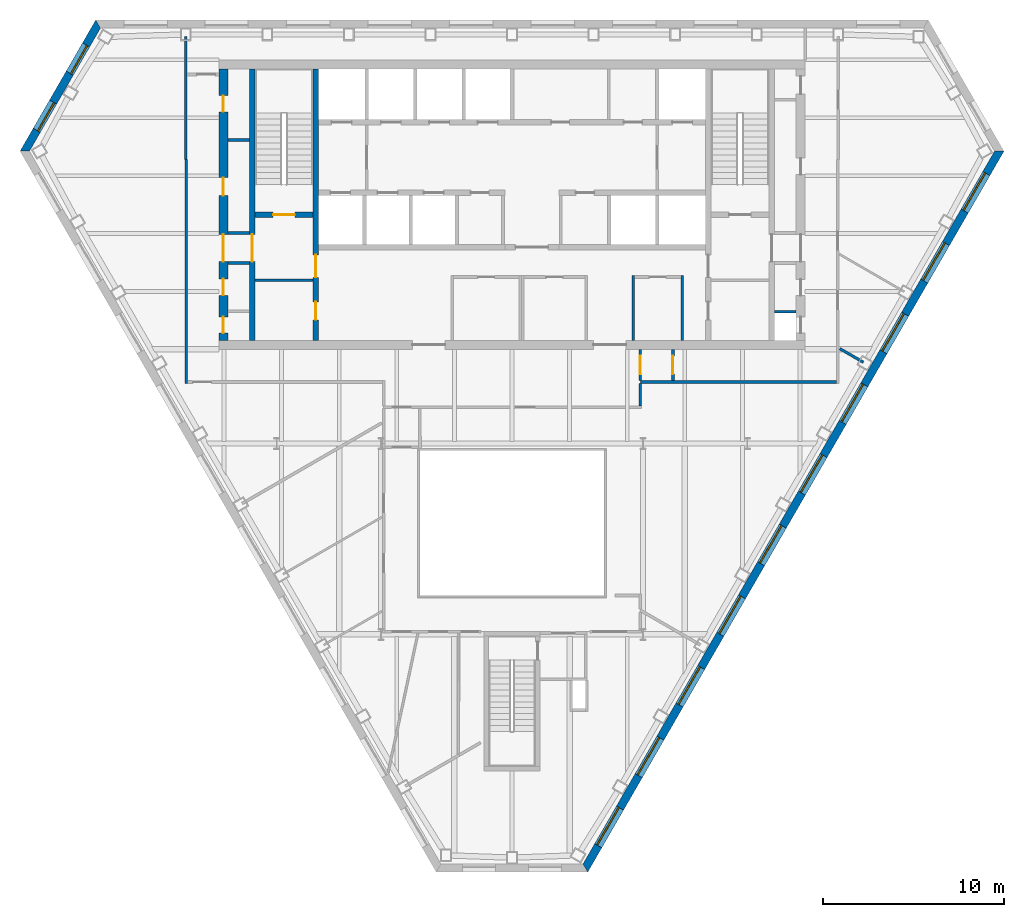
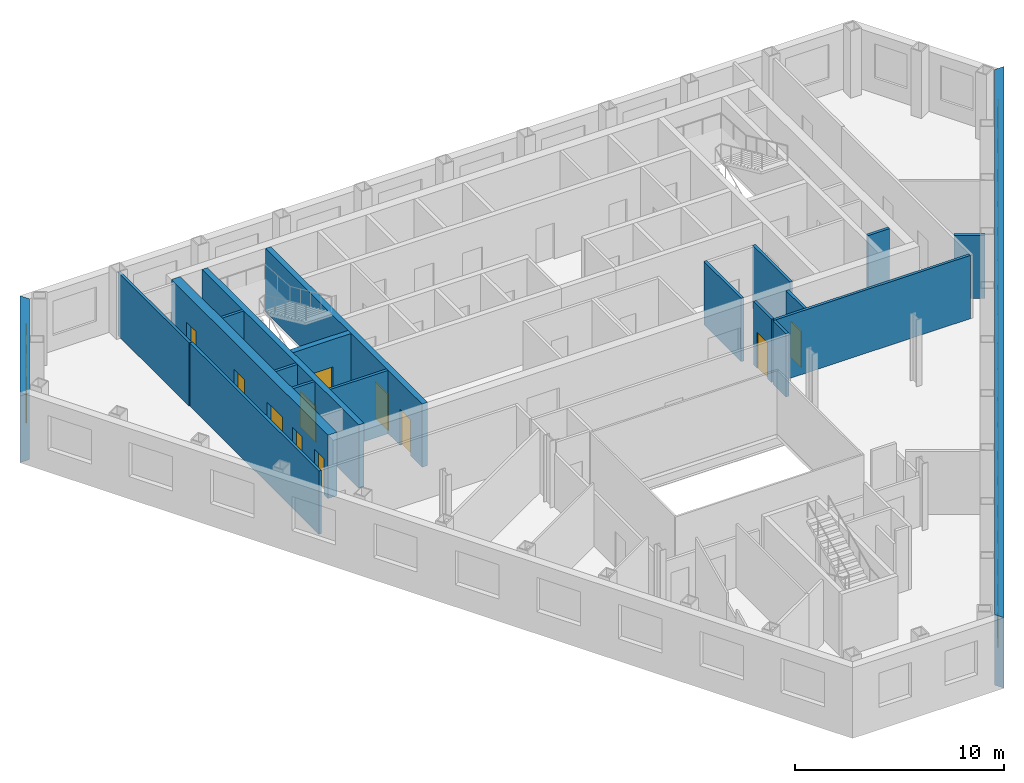
# One storey, part 5 of 10: 20 walls, 12 windows, 11 doors, 23 openings.
"""IFC4 building model written with IfcOpenShell, lengths in metres."""

import ifcopenshell
import ifcopenshell.guid

model = None  # the IFC model being written
_history = None  # IfcOwnerHistory: only IFC2X3 demands one
_inside = {}  # id of a spatial element -> (the spatial element, [elements in it])
_under = {}  # id of a project, library or spatial element -> (it, [spatial elements below it])
_declared = {}  # id of a project -> (the project, [libraries it declares])
_typed = {}  # id of a type object -> (the type object, [elements of that type])
_made_of = {}  # id of a material, layer set ... -> (it, [elements and type objects made of it])


def new_model(schema):
    """Start an empty IFC model of exactly this schema.

    Asked for "IFC4X3", IfcOpenShell would pick the latest addendum, in which some entities
    have other attributes; the version numbers below select the first issue.
    IFC2X3 requires an IfcOwnerHistory on every rooted entity: one is made here for all.
    """
    global model, _history
    if schema == "IFC4X3":
        model = ifcopenshell.file(schema_version=(4, 3, 0, 0))
    else:
        model = ifcopenshell.file(schema=schema)
    _inside.clear()
    _under.clear()
    _declared.clear()
    _typed.clear()
    _made_of.clear()
    _history = None
    if model.schema == "IFC2X3":
        org = make("IfcOrganization", Name="unknown")
        user = make(
            "IfcPersonAndOrganization",
            ThePerson=make("IfcPerson", FamilyName="unknown"),
            TheOrganization=org,
        )
        app = make(
            "IfcApplication",
            ApplicationDeveloper=org,
            Version="unknown",
            ApplicationFullName="unknown",
            ApplicationIdentifier="unknown",
        )
        _history = make(
            "IfcOwnerHistory",
            OwningUser=user,
            OwningApplication=app,
            ChangeAction="ADDED",
            CreationDate=0,
        )
    return model


def make(cls, **values):
    """One entity of the class cls with the attributes given. An attribute that is None is left unset."""
    return model.create_entity(
        cls, **{name: value for name, value in values.items() if value is not None}
    )


def rooted(cls, **values):
    """An entity with a GlobalId (a new one), such as an element, a storey or a relation."""
    return make(cls, GlobalId=ifcopenshell.guid.new(), OwnerHistory=_history, **values)


def si_unit(unit_type, name, prefix=None):
    """IfcSIUnit, for example si_unit("LENGTHUNIT", "METRE", prefix="MILLI")."""
    return make("IfcSIUnit", UnitType=unit_type, Prefix=prefix, Name=name)


def assignment(units):
    """IfcUnitAssignment: the units of a project."""
    return None if units is None else make("IfcUnitAssignment", Units=units)


def point(xyz):
    """IfcCartesianPoint."""
    return None if xyz is None else make("IfcCartesianPoint", Coordinates=xyz)


def direction(xyz):
    """IfcDirection."""
    return None if xyz is None else make("IfcDirection", DirectionRatios=xyz)


def frame(location, z_axis=None, x_axis=None):
    """IfcAxis2Placement3D, a coordinate frame: its origin and axes. An axis left out is left unset."""
    return make(
        "IfcAxis2Placement3D",
        Location=point(location),
        Axis=direction(z_axis),
        RefDirection=direction(x_axis),
    )


def frame_2d(location, x_axis=None):
    """IfcAxis2Placement2D, a coordinate frame in the plane: its origin and x axis."""
    return make(
        "IfcAxis2Placement2D", Location=point(location), RefDirection=direction(x_axis)
    )


def origin():
    """The frame at (0, 0, 0) with its axes left unset."""
    return frame((0.0, 0.0, 0.0))


def place(relative_to, where):
    """IfcLocalPlacement: puts the frame where relative to a parent placement (None: the world)."""
    return make(
        "IfcLocalPlacement", PlacementRelTo=relative_to, RelativePlacement=where
    )


def context(
    kind, dimensions, precision=None, world=None, true_north=None, identifier=None
):
    """IfcGeometricRepresentationContext, for example the 3D "Model" context."""
    return make(
        "IfcGeometricRepresentationContext",
        ContextIdentifier=identifier,
        ContextType=kind,
        CoordinateSpaceDimension=dimensions,
        Precision=precision,
        WorldCoordinateSystem=world,
        TrueNorth=true_north,
    )


def subcontext(parent, identifier, kind, view, scale=None):
    """IfcGeometricRepresentationSubContext, for example "Body" below "Model"."""
    return make(
        "IfcGeometricRepresentationSubContext",
        ContextIdentifier=identifier,
        ContextType=kind,
        ParentContext=parent,
        TargetScale=scale,
        TargetView=view,
    )


def project(units=None, contexts=None):
    """IfcProject with its units and contexts."""
    return rooted(
        "IfcProject",
        Name="project",
        RepresentationContexts=contexts,
        UnitsInContext=assignment(units),
    )


def spatial(cls, under=None, at=None, **own):
    """A site, building, storey or space (cls), placed at a placement, below another one or the project."""
    s = rooted(cls, ObjectPlacement=at, **own)
    if under is not None:
        _under.setdefault(under.id(), (under, []))[1].append(s)
    return s


def polyline(points):
    """IfcPolyline through the points."""
    return make("IfcPolyline", Points=[point(p) for p in points])


def profile(cls, at=None, kind="AREA", **sizes):
    """A parametric profile (cls). Its sizes go by their IFC names, for example OverallWidth=200.0."""
    return make(cls, ProfileType=kind, Position=at, **sizes)


def rectangle(**sizes):
    """IfcRectangleProfileDef."""
    return profile("IfcRectangleProfileDef", **sizes)


def outline(outer, holes=None, kind="AREA"):
    """IfcArbitraryClosedProfileDef: a profile drawn as a closed curve; with holes, ...WithVoids."""
    if holes is None:
        return make("IfcArbitraryClosedProfileDef", ProfileType=kind, OuterCurve=outer)
    return make(
        "IfcArbitraryProfileDefWithVoids",
        ProfileType=kind,
        OuterCurve=outer,
        InnerCurves=holes,
    )


def extrude(swept, where, along, depth):
    """IfcExtrudedAreaSolid: the profile swept, set in the frame where, extruded along a direction by depth."""
    return make(
        "IfcExtrudedAreaSolid",
        SweptArea=swept,
        Position=where,
        ExtrudedDirection=direction(along),
        Depth=depth,
    )


def shape(context_of_items, identifier, shape_type, items):
    """IfcShapeRepresentation: the items that make up one representation, for example the "Body"."""
    return make(
        "IfcShapeRepresentation",
        ContextOfItems=context_of_items,
        RepresentationIdentifier=identifier,
        RepresentationType=shape_type,
        Items=items,
    )


def material(Name=None, Category=None):
    """IfcMaterial."""
    return make("IfcMaterial", Name=Name, Category=Category)


def layer(
    of_material, thickness, ventilated=None, Name=None, Category=None, Priority=None
):
    """IfcMaterialLayer: one layer of a wall or slab, of a material (None: an air gap)."""
    return make(
        "IfcMaterialLayer",
        Material=of_material,
        LayerThickness=thickness,
        IsVentilated=ventilated,
        Name=Name,
        Category=Category,
        Priority=Priority,
    )


def layer_set(layers, Name=None):
    """IfcMaterialLayerSet."""
    return make("IfcMaterialLayerSet", MaterialLayers=layers, LayerSetName=Name)


def made_of(thing, what):
    """Note that an element or type object is made of a material, layer set ...; save() writes the relation."""
    if what is not None:
        _made_of.setdefault(what.id(), (what, []))[1].append(thing)
    return thing


def type_object(cls, material=None, **own):
    """A type object (cls), such as IfcWallType, which elements share."""
    return made_of(rooted(cls, **own), material)


def element(
    cls,
    number,
    at=None,
    inside=None,
    cuts=None,
    type_object=None,
    material=None,
    context=None,
    identifier="Body",
    shape_type=None,
    held_by="IfcProductDefinitionShape",
    body=None,
    shapes=None,
    **own,
):
    """One element of the class cls, such as IfcWall. Its Tag is "e" and its number.

    at: its placement. inside: the storey or other place that contains it. cuts: it is an
    opening in that element (IfcRelVoidsElement). A single representation is given by context,
    identifier, shape_type and body (its items); several are given by shapes. held_by: the class
    of the entity that holds the representations. save() writes the other relations.
    """
    e = rooted(cls, Tag="e%d" % number, ObjectPlacement=at, **own)
    if body is not None:
        shapes = [shape(context, identifier, shape_type, body)]
    if shapes is not None:
        e.Representation = make(held_by, Representations=shapes)
    if inside is not None:
        _inside.setdefault(inside.id(), (inside, []))[1].append(e)
    if cuts is not None:
        rooted(
            "IfcRelVoidsElement", RelatingBuildingElement=cuts, RelatedOpeningElement=e
        )
    if type_object is not None:
        _typed.setdefault(type_object.id(), (type_object, []))[1].append(e)
    return made_of(e, material)


def fill(opening, filler):
    """IfcRelFillsElement: the door or window that sits in an opening."""
    return rooted(
        "IfcRelFillsElement",
        RelatingOpeningElement=opening,
        RelatedBuildingElement=filler,
    )


def aggregate(whole, parts):
    """IfcRelAggregates: a whole, such as a stair, and the parts it consists of."""
    return rooted("IfcRelAggregates", RelatingObject=whole, RelatedObjects=parts)


def save(model, path):
    """Write the relations noted so far, then the file.

    IfcRelAggregates (storeys below a building ...), IfcRelContainedInSpatialStructure (elements
    in a storey), IfcRelDefinesByType, IfcRelAssociatesMaterial and IfcRelDeclares: one each for
    every whole, place, type object, material and project.
    """
    for whole, parts in _under.values():
        aggregate(whole, parts)
    for where, things in _inside.values():
        rooted(
            "IfcRelContainedInSpatialStructure",
            RelatedElements=things,
            RelatingStructure=where,
        )
    for kind, things in _typed.values():
        rooted("IfcRelDefinesByType", RelatedObjects=things, RelatingType=kind)
    for what, things in _made_of.values():
        rooted("IfcRelAssociatesMaterial", RelatedObjects=things, RelatingMaterial=what)
    for by, libraries in _declared.values():
        rooted("IfcRelDeclares", RelatingContext=by, RelatedDefinitions=libraries)
    model.write(path)


model = new_model("IFC4")

# Units and contexts
model_context = context("Model", 3, precision=1e-05, world=origin(), true_north=direction((0.0, 1.0)))
body_context = subcontext(model_context, "Body", "Model", "MODEL_VIEW")
ifc_project = project(units=[si_unit("LENGTHUNIT", "METRE"), si_unit("AREAUNIT", "SQUARE_METRE"), si_unit("VOLUMEUNIT", "CUBIC_METRE"), si_unit("PLANEANGLEUNIT", "RADIAN"), si_unit("MASSUNIT", "GRAM", prefix="KILO")], contexts=[model_context])

# Site, building, storey
site_placement = place(None, origin())
site = spatial("IfcSite", under=ifc_project, at=site_placement, CompositionType="ELEMENT")
building_placement = place(site_placement, origin())
building = spatial("IfcBuilding", under=site, at=building_placement, Name="Njiva Tower", CompositionType="ELEMENT")
storey_placement = place(building_placement, frame((0.0, 0.0, 171.0)))
storey = spatial("IfcBuildingStorey", under=building, at=storey_placement, Name="L37", CompositionType="ELEMENT", Elevation=171.0)

# Walls
ifc_material_1 = material(Name="Blockwork", Category="masonry")
ifc_layer_1 = layer(ifc_material_1, 0.15)
ifc_layer_set_1 = layer_set([ifc_layer_1], Name="Blockwork")
wall_type_1 = type_object("IfcWallType", Name="WT1 Compartment partition 150", PredefinedType="PARTITIONING", material=ifc_layer_set_1)
wall_1_placement = place(storey_placement, frame((-14.2, 5.825, 0.0), z_axis=(0.0, 0.0, 1.0), x_axis=(1.0, 0.0, 0.0)))
element("IfcWall", 1, at=wall_1_placement, inside=storey, type_object=wall_type_1, Name="Room wall A", PredefinedType="PARTITIONING", context=body_context, shape_type="SweptSolid", body=[
    extrude(rectangle(XDim=3.2, YDim=0.15, at=frame_2d((1.6, 0.0))), origin(), (0.0, 0.0, 1.0), 3.7),
])
for number, where, z_axis, x_axis, name in (
    (2, (6.7, 2.5, 0.0), (0.0, 0.0, 1.0), (0.0, 1.0, 0.0), "Security office wall west"),
    (3, (9.4, 2.5, 0.0), (0.0, 0.0, 1.0), (0.0, 1.0, 0.0), "Security office wall east"),
):
    element("IfcWall", number, at=place(storey_placement, frame(where, z_axis=z_axis, x_axis=x_axis)), inside=storey, type_object=wall_type_1, Name=name, PredefinedType="PARTITIONING", context=body_context, shape_type="SweptSolid", body=[
        extrude(rectangle(XDim=3.575, YDim=0.15, at=frame_2d((1.7875, 0.0))), origin(), (0.0, 0.0, 1.0), 3.7),
    ])

# Wall, openings, doors
ifc_material_2 = material(Name="Concrete C40/50", Category="concrete")
ifc_layer_2 = layer(ifc_material_2, 0.3)
ifc_layer_set_2 = layer_set([ifc_layer_2], Name="Concrete C40/50")
wall_type_2 = type_object("IfcWallType", Name="WT10 Stair enclosure wall 300", PredefinedType="SHEAR", material=ifc_layer_set_2)
wall_2_placement = place(storey_placement, frame((-10.85, 2.5, 0.0), z_axis=(0.0, 0.0, 1.0), x_axis=(0.0, 1.0, 0.0)))
wall_2 = element("IfcWall", 4, at=wall_2_placement, inside=storey, type_object=wall_type_2, Name="Stair wall west inner", PredefinedType="SHEAR", context=body_context, shape_type="SweptSolid", body=[
    extrude(rectangle(XDim=15.0, YDim=0.3, at=frame_2d((7.5, 0.0))), origin(), (0.0, 0.0, 1.0), 3.7),
])
opening_1_placement = place(wall_2_placement, frame((3.475, 0.0, 0.0)))
opening_1 = element("IfcOpeningElement", 5, at=opening_1_placement, cuts=wall_2, Name="Opening S12-D915", PredefinedType="OPENING", context=body_context, shape_type="SweptSolid", body=[
    extrude(rectangle(XDim=1.25, YDim=2.1, at=frame_2d((0.625, 1.05))), frame((0.0, 0.16, 0.0), z_axis=(0.0, -1.0, 0.0), x_axis=(1.0, 0.0, 0.0)), (0.0, 0.0, 1.0), 0.32),
])
opening_2_placement = place(wall_2_placement, frame((1.125, 0.0, 0.0)))
opening_2 = element("IfcOpeningElement", 6, at=opening_2_placement, cuts=wall_2, Name="Opening S12-D916", PredefinedType="OPENING", context=body_context, shape_type="SweptSolid", body=[
    extrude(rectangle(XDim=1.0, YDim=2.1, at=frame_2d((0.5, 1.05))), frame((0.0, 0.16, 0.0), z_axis=(0.0, -1.0, 0.0), x_axis=(1.0, 0.0, 0.0)), (0.0, 0.0, 1.0), 0.32),
])
ifc_material_3 = material(Name="Steel door, painted", Category="steel")
door_type_1 = type_object("IfcDoorType", Name="D5 Steel door 1000x2100", OperationType="SINGLE_SWING_LEFT", PredefinedType="DOOR", material=ifc_material_3)
door_1_placement = place(opening_2_placement, origin())
door_1 = element("IfcDoor", 7, at=door_1_placement, inside=storey, type_object=door_type_1, Name="Prayer room door", OperationType="SINGLE_SWING_RIGHT", OverallHeight=2.1, OverallWidth=1.0, PredefinedType="DOOR", context=body_context, shape_type="SweptSolid", body=[
    extrude(rectangle(XDim=1.0, YDim=2.1, at=frame_2d((0.5, 1.05))), frame((0.0, 0.025, 0.0), z_axis=(0.0, -1.0, 0.0), x_axis=(1.0, 0.0, 0.0)), (0.0, 0.0, 1.0), 0.05),
])
fill(opening_2, door_1)
ifc_material_4 = material(Name="Glazed steel fire door", Category="steel")
door_type_2 = type_object("IfcDoorType", Name="D8 Vestibule corridor door 1250x2100 glazed", OperationType="SINGLE_SWING_LEFT", PredefinedType="DOOR", material=ifc_material_4)
door_2_placement = place(opening_1_placement, origin())
door_2 = element("IfcDoor", 8, at=door_2_placement, inside=storey, type_object=door_type_2, Name="Stair vestibule corridor door", OperationType="SINGLE_SWING_LEFT", OverallHeight=2.1, OverallWidth=1.25, PredefinedType="DOOR", context=body_context, shape_type="SweptSolid", body=[
    extrude(rectangle(XDim=1.25, YDim=2.1, at=frame_2d((0.625, 1.05))), frame((0.0, 0.025, 0.0), z_axis=(0.0, -1.0, 0.0), x_axis=(1.0, 0.0, 0.0)), (0.0, 0.0, 1.0), 0.05),
])
fill(opening_1, door_2)

# Wall, opening, door
wall_3_placement = place(storey_placement, frame((-14.35, 2.5, 0.0), z_axis=(0.0, 0.0, 1.0), x_axis=(0.0, 1.0, 0.0)))
wall_3 = element("IfcWall", 9, at=wall_3_placement, inside=storey, type_object=wall_type_2, Name="Stair wall west outer", PredefinedType="SHEAR", context=body_context, shape_type="SweptSolid", body=[
    extrude(rectangle(XDim=15.0, YDim=0.3, at=frame_2d((7.5, 0.0))), origin(), (0.0, 0.0, 1.0), 3.7),
])
opening_3_placement = place(wall_3_placement, frame((4.35, 0.0, 0.0)))
opening_3 = element("IfcOpeningElement", 10, at=opening_3_placement, cuts=wall_3, Name="Opening S12-D921", PredefinedType="OPENING", context=body_context, shape_type="SweptSolid", body=[
    extrude(rectangle(XDim=1.5, YDim=2.1, at=frame_2d((0.75, 1.05))), frame((0.0, 0.16, 0.0), z_axis=(0.0, -1.0, 0.0), x_axis=(1.0, 0.0, 0.0)), (0.0, 0.0, 1.0), 0.32),
])
door_type_3 = type_object("IfcDoorType", Name="D10 Exit door double 1500x2100 glazed", OperationType="DOUBLE_DOOR_SINGLE_SWING", PredefinedType="DOOR", material=ifc_material_4)
door_3_placement = place(opening_3_placement, origin())
door_3 = element("IfcDoor", 11, at=door_3_placement, inside=storey, type_object=door_type_3, Name="Stair A passage door", OperationType="DOUBLE_DOOR_SINGLE_SWING", OverallHeight=2.1, OverallWidth=1.5, PredefinedType="DOOR", context=body_context, shape_type="SweptSolid", body=[
    extrude(rectangle(XDim=1.5, YDim=2.1, at=frame_2d((0.75, 1.05))), frame((0.0, 0.025, 0.0), z_axis=(0.0, -1.0, 0.0), x_axis=(1.0, 0.0, 0.0)), (0.0, 0.0, 1.0), 0.05),
])
fill(opening_3, door_3)

wall_4_placement = place(storey_placement, frame((-14.2, 9.45, 0.0), z_axis=(0.0, 0.0, 1.0), x_axis=(1.0, 0.0, 0.0)))
wall_4 = element("IfcWall", 12, at=wall_4_placement, inside=storey, type_object=wall_type_2, Name="Stair A south wall", PredefinedType="SHEAR", context=body_context, shape_type="SweptSolid", body=[
    extrude(rectangle(XDim=3.2, YDim=0.3, at=frame_2d((1.6, 0.0))), origin(), (0.0, 0.0, 1.0), 3.7),
])
opening_4_placement = place(wall_4_placement, frame((1.0, 0.0, 0.0)))
opening_4 = element("IfcOpeningElement", 13, at=opening_4_placement, cuts=wall_4, Name="Opening S12-D914", PredefinedType="OPENING", context=body_context, shape_type="SweptSolid", body=[
    extrude(rectangle(XDim=1.2, YDim=2.1, at=frame_2d((0.6, 1.05))), frame((0.0, 0.16, 0.0), z_axis=(0.0, -1.0, 0.0), x_axis=(1.0, 0.0, 0.0)), (0.0, 0.0, 1.0), 0.32),
])
door_type_4 = type_object("IfcDoorType", Name="D7 Stair vestibule door 1200x2100 glazed", OperationType="SINGLE_SWING_LEFT", PredefinedType="DOOR", material=ifc_material_4)
door_4_placement = place(opening_4_placement, origin())
door_4 = element("IfcDoor", 14, at=door_4_placement, inside=storey, type_object=door_type_4, Name="Stair A door", OperationType="SINGLE_SWING_LEFT", OverallHeight=2.1, OverallWidth=1.2, PredefinedType="DOOR", context=body_context, shape_type="SweptSolid", body=[
    extrude(rectangle(XDim=1.2, YDim=2.1, at=frame_2d((0.6, 1.05))), frame((0.0, 0.025, 0.0), z_axis=(0.0, -1.0, 0.0), x_axis=(1.0, 0.0, 0.0)), (0.0, 0.0, 1.0), 0.05),
])
fill(opening_4, door_4)

# Wall, openings, doors
ifc_material_5 = material(Name="Concrete C60/75", Category="concrete")
ifc_layer_3 = layer(ifc_material_5, 0.5)
ifc_layer_set_3 = layer_set([ifc_layer_3], Name="Concrete C60/75")
wall_type_3 = type_object("IfcWallType", Name="WT13 Core wall 500", PredefinedType="SHEAR", material=ifc_layer_set_3)
wall_5_placement = place(storey_placement, frame((-15.95, 2.5, 0.0), z_axis=(0.0, 0.0, 1.0), x_axis=(0.0, 1.0, 0.0)))
wall_5 = element("IfcWall", 15, at=wall_5_placement, inside=storey, type_object=wall_type_3, Name="Core wall west", PredefinedType="SHEAR", context=body_context, shape_type="SweptSolid", body=[
    extrude(rectangle(XDim=15.0, YDim=0.5, at=frame_2d((7.5, 0.0))), origin(), (0.0, 0.0, 1.0), 3.7),
])
opening_5_placement = place(wall_5_placement, frame((4.35, 0.0, 0.0)))
opening_5 = element("IfcOpeningElement", 16, at=opening_5_placement, cuts=wall_5, Name="Opening S12-D922", PredefinedType="OPENING", context=body_context, shape_type="SweptSolid", body=[
    extrude(rectangle(XDim=1.5, YDim=2.1, at=frame_2d((0.75, 1.05))), frame((0.0, 0.26, 0.0), z_axis=(0.0, -1.0, 0.0), x_axis=(1.0, 0.0, 0.0)), (0.0, 0.0, 1.0), 0.52),
])
opening_6_placement = place(wall_5_placement, frame((0.4, 0.0, 0.0)))
opening_6 = element("IfcOpeningElement", 17, at=opening_6_placement, cuts=wall_5, Name="Opening S12-D923", PredefinedType="OPENING", context=body_context, shape_type="SweptSolid", body=[
    extrude(rectangle(XDim=0.9, YDim=2.1, at=frame_2d((0.45, 1.05))), frame((0.0, 0.26, 0.0), z_axis=(0.0, -1.0, 0.0), x_axis=(1.0, 0.0, 0.0)), (0.0, 0.0, 1.0), 0.52),
])
opening_7_placement = place(wall_5_placement, frame((2.491, 0.0, 0.0)))
opening_7 = element("IfcOpeningElement", 18, at=opening_7_placement, cuts=wall_5, Name="Opening S12-D924", PredefinedType="OPENING", context=body_context, shape_type="SweptSolid", body=[
    extrude(rectangle(XDim=0.9, YDim=2.1, at=frame_2d((0.45, 1.05))), frame((0.0, 0.26, 0.0), z_axis=(0.0, -1.0, 0.0), x_axis=(1.0, 0.0, 0.0)), (0.0, 0.0, 1.0), 0.52),
])
opening_8_placement = place(wall_5_placement, frame((7.9962, 0.0, 0.0)))
opening_8 = element("IfcOpeningElement", 19, at=opening_8_placement, cuts=wall_5, Name="Opening S12-D925", PredefinedType="OPENING", context=body_context, shape_type="SweptSolid", body=[
    extrude(rectangle(XDim=1.0, YDim=2.1, at=frame_2d((0.5, 1.05))), frame((0.0, 0.26, 0.0), z_axis=(0.0, -1.0, 0.0), x_axis=(1.0, 0.0, 0.0)), (0.0, 0.0, 1.0), 0.52),
])
opening_9_placement = place(wall_5_placement, frame((12.6212, 0.0, 0.0)))
opening_9 = element("IfcOpeningElement", 20, at=opening_9_placement, cuts=wall_5, Name="Opening S12-D926", PredefinedType="OPENING", context=body_context, shape_type="SweptSolid", body=[
    extrude(rectangle(XDim=0.9, YDim=2.1, at=frame_2d((0.45, 1.05))), frame((0.0, 0.26, 0.0), z_axis=(0.0, -1.0, 0.0), x_axis=(1.0, 0.0, 0.0)), (0.0, 0.0, 1.0), 0.52),
])
door_5_placement = place(opening_5_placement, origin())
door_5 = element("IfcDoor", 21, at=door_5_placement, inside=storey, type_object=door_type_3, Name="Stair A corridor door", OperationType="DOUBLE_DOOR_SINGLE_SWING", OverallHeight=2.1, OverallWidth=1.5, PredefinedType="DOOR", context=body_context, shape_type="SweptSolid", body=[
    extrude(rectangle(XDim=1.5, YDim=2.1, at=frame_2d((0.75, 1.05))), frame((0.0, 0.025, 0.0), z_axis=(0.0, -1.0, 0.0), x_axis=(1.0, 0.0, 0.0)), (0.0, 0.0, 1.0), 0.05),
])
fill(opening_5, door_5)
door_type_5 = type_object("IfcDoorType", Name="D4 Riser door 900x2100", OperationType="SINGLE_SWING_LEFT", PredefinedType="DOOR", material=ifc_material_3)
door_6_placement = place(opening_9_placement, origin())
door_6 = element("IfcDoor", 22, at=door_6_placement, inside=storey, type_object=door_type_5, Name="Cable riser door", OperationType="SINGLE_SWING_LEFT", OverallHeight=2.1, OverallWidth=0.9, PredefinedType="DOOR", context=body_context, shape_type="SweptSolid", body=[
    extrude(rectangle(XDim=0.9, YDim=2.1, at=frame_2d((0.45, 1.05))), frame((0.0, 0.025, 0.0), z_axis=(0.0, -1.0, 0.0), x_axis=(1.0, 0.0, 0.0)), (0.0, 0.0, 1.0), 0.05),
])
fill(opening_9, door_6)
door_7_placement = place(opening_8_placement, origin())
door_7 = element("IfcDoor", 23, at=door_7_placement, inside=storey, type_object=door_type_1, Name="Electrical room door", OperationType="SINGLE_SWING_LEFT", OverallHeight=2.1, OverallWidth=1.0, PredefinedType="DOOR", context=body_context, shape_type="SweptSolid", body=[
    extrude(rectangle(XDim=1.0, YDim=2.1, at=frame_2d((0.5, 1.05))), frame((0.0, 0.025, 0.0), z_axis=(0.0, -1.0, 0.0), x_axis=(1.0, 0.0, 0.0)), (0.0, 0.0, 1.0), 0.05),
])
fill(opening_8, door_7)
ifc_material_6 = material(Name="Steel fire door, painted", Category="steel")
door_type_6 = type_object("IfcDoorType", Name="D6 Fire-rated door 900x2100", OperationType="SINGLE_SWING_LEFT", PredefinedType="DOOR", material=ifc_material_6)
door_8_placement = place(opening_6_placement, origin())
door_8 = element("IfcDoor", 24, at=door_8_placement, inside=storey, type_object=door_type_6, Name="Cable store door", OperationType="SINGLE_SWING_RIGHT", OverallHeight=2.1, OverallWidth=0.9, PredefinedType="DOOR", context=body_context, shape_type="SweptSolid", body=[
    extrude(rectangle(XDim=0.9, YDim=2.1, at=frame_2d((0.45, 1.05))), frame((0.0, 0.025, 0.0), z_axis=(0.0, -1.0, 0.0), x_axis=(1.0, 0.0, 0.0)), (0.0, 0.0, 1.0), 0.05),
])
fill(opening_6, door_8)
door_9_placement = place(opening_7_placement, origin())
door_9 = element("IfcDoor", 25, at=door_9_placement, inside=storey, type_object=door_type_6, Name="Cable store door", OperationType="SINGLE_SWING_RIGHT", OverallHeight=2.1, OverallWidth=0.9, PredefinedType="DOOR", context=body_context, shape_type="SweptSolid", body=[
    extrude(rectangle(XDim=0.9, YDim=2.1, at=frame_2d((0.45, 1.05))), frame((0.0, 0.025, 0.0), z_axis=(0.0, -1.0, 0.0), x_axis=(1.0, 0.0, 0.0)), (0.0, 0.0, 1.0), 0.05),
])
fill(opening_7, door_9)

# Walls
ifc_material_7 = material(Name="Gypsum board on steel studs", Category="gypsum")
ifc_layer_4 = layer(ifc_material_7, 0.15)
ifc_layer_set_4 = layer_set([ifc_layer_4], Name="Gypsum board on steel studs")
wall_type_4 = type_object("IfcWallType", Name="WT21 Compartment wall 150", PredefinedType="PARTITIONING", material=ifc_layer_set_4)
wall_6_placement = place(storey_placement, frame((-18.031, 12.498, 0.0), z_axis=(0.0, 0.0, 1.0), x_axis=(0.0, 1.0, 0.0)))
element("IfcWall", 26, at=wall_6_placement, inside=storey, type_object=wall_type_4, Name="Partition S12-P001", PredefinedType="PARTITIONING", context=body_context, shape_type="SweptSolid", body=[
    extrude(rectangle(XDim=6.802, YDim=0.15, at=frame_2d((3.401, 0.0))), origin(), (0.0, 0.0, 1.0), 3.7),
])
wall_7_placement = place(storey_placement, frame((-18.0, 0.125, 0.0), z_axis=(0.0, 0.0, 1.0), x_axis=(0.0, 1.0, 0.0)))
element("IfcWall", 27, at=wall_7_placement, inside=storey, type_object=wall_type_4, Name="Partition S12-P002", PredefinedType="PARTITIONING", context=body_context, shape_type="SweptSolid", body=[
    extrude(rectangle(XDim=12.355, YDim=0.15, at=frame_2d((6.1775, 0.0))), origin(), (0.0, 0.0, 1.0), 3.7),
])
wall_8_placement = place(storey_placement, frame((7.09, -1.125, 0.0), z_axis=(0.0, 0.0, 1.0), x_axis=(0.0, 1.0, 0.0)))
element("IfcWall", 28, at=wall_8_placement, inside=storey, type_object=wall_type_4, Name="Partition S12-P022", PredefinedType="PARTITIONING", context=body_context, shape_type="SweptSolid", body=[
    extrude(rectangle(XDim=1.25, YDim=0.15, at=frame_2d((0.625, 0.0))), origin(), (0.0, 0.0, 1.0), 3.7),
])
wall_9_placement = place(storey_placement, frame((7.09, 0.2, 0.0), z_axis=(0.0, 0.0, 1.0), x_axis=(1.0, 0.0, 0.0)))
element("IfcWall", 29, at=wall_9_placement, inside=storey, type_object=wall_type_4, Name="Partition S12-P023", PredefinedType="PARTITIONING", context=body_context, shape_type="SweptSolid", body=[
    extrude(rectangle(XDim=10.835, YDim=0.15, at=frame_2d((5.4175, 0.0))), origin(), (0.0, 0.0, 1.0), 3.7),
])

# Wall, opening, door
wall_10_placement = place(storey_placement, frame((7.09, 0.275, 0.0), z_axis=(0.0, 0.0, 1.0), x_axis=(0.0, 1.0, 0.0)))
wall_10 = element("IfcWall", 30, at=wall_10_placement, inside=storey, type_object=wall_type_4, Name="Partition S12-P024", PredefinedType="PARTITIONING", context=body_context, shape_type="SweptSolid", body=[
    extrude(rectangle(XDim=1.725, YDim=0.15, at=frame_2d((0.8625, 0.0))), origin(), (0.0, 0.0, 1.0), 3.7),
])
opening_10_placement = place(wall_10_placement, frame((0.362, 0.0, 0.0)))
opening_10 = element("IfcOpeningElement", 31, at=opening_10_placement, cuts=wall_10, Name="Opening S12-D012", PredefinedType="OPENING", context=body_context, shape_type="SweptSolid", body=[
    extrude(rectangle(XDim=1.0, YDim=2.1, at=frame_2d((0.5, 1.05))), frame((0.0, 0.085, 0.0), z_axis=(0.0, -1.0, 0.0), x_axis=(1.0, 0.0, 0.0)), (0.0, 0.0, 1.0), 0.17),
])
ifc_material_8 = material(Name="Steel fire door set", Category="steel")
door_type_7 = type_object("IfcDoorType", Name="D37 Fire door 1000x2100", OperationType="SINGLE_SWING_LEFT", PredefinedType="DOOR", material=ifc_material_8)
door_10_placement = place(opening_10_placement, origin())
door_10 = element("IfcDoor", 32, at=door_10_placement, inside=storey, type_object=door_type_7, Name="Door S12-D012", OperationType="SINGLE_SWING_LEFT", OverallHeight=2.1, OverallWidth=1.0, PredefinedType="DOOR", context=body_context, shape_type="SweptSolid", body=[
    extrude(rectangle(XDim=1.0, YDim=2.1, at=frame_2d((0.5, 1.05))), frame((0.0, 0.025, 0.0), z_axis=(0.0, -1.0, 0.0), x_axis=(1.0, 0.0, 0.0)), (0.0, 0.0, 1.0), 0.05),
])
fill(opening_10, door_10)

wall_11_placement = place(storey_placement, frame((8.89, 0.275, 0.0), z_axis=(0.0, 0.0, 1.0), x_axis=(0.0, 1.0, 0.0)))
wall_11 = element("IfcWall", 33, at=wall_11_placement, inside=storey, type_object=wall_type_4, Name="Partition S12-P026", PredefinedType="PARTITIONING", context=body_context, shape_type="SweptSolid", body=[
    extrude(rectangle(XDim=1.725, YDim=0.15, at=frame_2d((0.8625, 0.0))), origin(), (0.0, 0.0, 1.0), 3.7),
])
opening_11_placement = place(wall_11_placement, frame((0.363, 0.0, 0.0)))
opening_11 = element("IfcOpeningElement", 34, at=opening_11_placement, cuts=wall_11, Name="Opening S12-D013", PredefinedType="OPENING", context=body_context, shape_type="SweptSolid", body=[
    extrude(rectangle(XDim=1.0, YDim=2.1, at=frame_2d((0.5, 1.05))), frame((0.0, 0.085, 0.0), z_axis=(0.0, -1.0, 0.0), x_axis=(1.0, 0.0, 0.0)), (0.0, 0.0, 1.0), 0.17),
])
door_11_placement = place(opening_11_placement, origin())
door_11 = element("IfcDoor", 35, at=door_11_placement, inside=storey, type_object=door_type_7, Name="Door S12-D013", OperationType="SINGLE_SWING_RIGHT", OverallHeight=2.1, OverallWidth=1.0, PredefinedType="DOOR", context=body_context, shape_type="SweptSolid", body=[
    extrude(rectangle(XDim=1.0, YDim=2.1, at=frame_2d((0.5, 1.05))), frame((0.0, 0.025, 0.0), z_axis=(0.0, -1.0, 0.0), x_axis=(1.0, 0.0, 0.0)), (0.0, 0.0, 1.0), 0.05),
])
fill(opening_11, door_11)

# Walls
wall_12_placement = place(storey_placement, frame((18.113, 2.041, 0.0), z_axis=(0.0, 0.0, 1.0), x_axis=(0.865897129857, -0.500222111171, 0.0)))
element("IfcWall", 36, at=wall_12_placement, inside=storey, type_object=wall_type_4, Name="Partition S12-P031", PredefinedType="PARTITIONING", context=body_context, shape_type="SweptSolid", body=[
    extrude(rectangle(XDim=1.5013, YDim=0.15, at=frame_2d((0.7506, 0.0))), origin(), (0.0, 0.0, 1.0), 3.7),
])
ifc_layer_5 = layer(ifc_material_1, 0.15)
ifc_layer_set_5 = layer_set([ifc_layer_5], Name="Blockwork")
wall_type_5 = type_object("IfcWallType", Name="WT3 Riser partition 150", PredefinedType="PARTITIONING", material=ifc_layer_set_5)
for number, where, z_axis, x_axis, name in (
    (37, (-15.7, 13.5673, 0.0), (0.0, 0.0, 1.0), (1.0, 0.0, 0.0), "Partition strip W10"),
    (38, (14.5, 4.075, 0.0), (0.0, 0.0, 1.0), (1.0, 0.0, 0.0), "Partition strip E00"),
):
    element("IfcWall", number, at=place(storey_placement, frame(where, z_axis=z_axis, x_axis=x_axis)), inside=storey, type_object=wall_type_5, Name=name, PredefinedType="PARTITIONING", context=body_context, shape_type="SweptSolid", body=[
        extrude(rectangle(XDim=1.2, YDim=0.15, at=frame_2d((0.6, 0.0))), origin(), (0.0, 0.0, 1.0), 3.7),
    ])
ifc_layer_6 = layer(ifc_material_1, 0.15)
ifc_layer_set_6 = layer_set([ifc_layer_6], Name="Blockwork")
wall_type_6 = type_object("IfcWallType", Name="WT4 Stair partition 150", PredefinedType="PARTITIONING", material=ifc_layer_set_6)
for number, where, z_axis, x_axis, name in (
    (39, (-15.7, 6.775, 0.0), (0.0, 0.0, 1.0), (1.0, 0.0, 0.0), "Stair A exit passage wall south"),
    (40, (-15.7, 8.425, 0.0), (0.0, 0.0, 1.0), (1.0, 0.0, 0.0), "Stair A exit passage wall north"),
):
    element("IfcWall", number, at=place(storey_placement, frame(where, z_axis=z_axis, x_axis=x_axis)), inside=storey, type_object=wall_type_6, Name=name, PredefinedType="PARTITIONING", context=body_context, shape_type="SweptSolid", body=[
        extrude(rectangle(XDim=1.2, YDim=0.15, at=frame_2d((0.6, 0.0))), origin(), (0.0, 0.0, 1.0), 3.7),
    ])

# Wall, openings, windows
ifc_material_9 = material(Name="Brick masonry", Category="masonry")
ifc_layer_7 = layer(ifc_material_9, 0.45)
ifc_layer_set_7 = layer_set([ifc_layer_7], Name="Brick masonry")
wall_type_7 = type_object("IfcWallType", Name="WT90 Brick pier and spandrel wall 450", PredefinedType="SOLIDWALL", material=ifc_layer_set_7)
wall_13_placement = place(storey_placement, frame((4.0551, -26.6608, -0.4), z_axis=(0.0, 0.0, 1.0), x_axis=(0.499999764979, 0.866025539474, 0.0)))
wall_13 = element("IfcWall", 41, at=wall_13_placement, inside=storey, type_object=wall_type_7, Name="Facade wall SE", PredefinedType="SOLIDWALL", context=body_context, shape_type="SweptSolid", body=[
    extrude(outline(polyline([(-0.1299, -0.225), (45.8701, -0.225), (45.6103, 0.225), (0.1299, 0.225), (-0.1299, -0.225)])), origin(), (0.0, 0.0, 1.0), 4.12),
])
opening_12_placement = place(wall_13_placement, frame((1.4242, 0.0, 1.3)))
opening_12 = element("IfcOpeningElement", 42, at=opening_12_placement, cuts=wall_13, Name="Opening S12-W24", PredefinedType="OPENING", context=body_context, shape_type="SweptSolid", body=[
    extrude(rectangle(XDim=2.4, YDim=2.0, at=frame_2d((1.2, 1.0))), frame((0.0, 0.235, 0.0), z_axis=(0.0, -1.0, 0.0), x_axis=(1.0, 0.0, 0.0)), (0.0, 0.0, 1.0), 0.47),
])
opening_13_placement = place(wall_13_placement, frame((5.8934, 0.0, 1.3)))
opening_13 = element("IfcOpeningElement", 43, at=opening_13_placement, cuts=wall_13, Name="Opening S12-W25", PredefinedType="OPENING", context=body_context, shape_type="SweptSolid", body=[
    extrude(rectangle(XDim=2.4, YDim=2.0, at=frame_2d((1.2, 1.0))), frame((0.0, 0.235, 0.0), z_axis=(0.0, -1.0, 0.0), x_axis=(1.0, 0.0, 0.0)), (0.0, 0.0, 1.0), 0.47),
])
opening_14_placement = place(wall_13_placement, frame((10.401, 0.0, 1.3)))
opening_14 = element("IfcOpeningElement", 44, at=opening_14_placement, cuts=wall_13, Name="Opening S12-W26", PredefinedType="OPENING", context=body_context, shape_type="SweptSolid", body=[
    extrude(rectangle(XDim=2.4, YDim=2.0, at=frame_2d((1.2, 1.0))), frame((0.0, 0.235, 0.0), z_axis=(0.0, -1.0, 0.0), x_axis=(1.0, 0.0, 0.0)), (0.0, 0.0, 1.0), 0.47),
])
opening_15_placement = place(wall_13_placement, frame((14.9087, 0.0, 1.3)))
opening_15 = element("IfcOpeningElement", 45, at=opening_15_placement, cuts=wall_13, Name="Opening S12-W27", PredefinedType="OPENING", context=body_context, shape_type="SweptSolid", body=[
    extrude(rectangle(XDim=2.4, YDim=2.0, at=frame_2d((1.2, 1.0))), frame((0.0, 0.235, 0.0), z_axis=(0.0, -1.0, 0.0), x_axis=(1.0, 0.0, 0.0)), (0.0, 0.0, 1.0), 0.47),
])
opening_16_placement = place(wall_13_placement, frame((19.4163, 0.0, 1.3)))
opening_16 = element("IfcOpeningElement", 46, at=opening_16_placement, cuts=wall_13, Name="Opening S12-W28", PredefinedType="OPENING", context=body_context, shape_type="SweptSolid", body=[
    extrude(rectangle(XDim=2.4, YDim=2.0, at=frame_2d((1.2, 1.0))), frame((0.0, 0.235, 0.0), z_axis=(0.0, -1.0, 0.0), x_axis=(1.0, 0.0, 0.0)), (0.0, 0.0, 1.0), 0.47),
])
opening_17_placement = place(wall_13_placement, frame((23.9239, 0.0, 1.3)))
opening_17 = element("IfcOpeningElement", 47, at=opening_17_placement, cuts=wall_13, Name="Opening S12-W29", PredefinedType="OPENING", context=body_context, shape_type="SweptSolid", body=[
    extrude(rectangle(XDim=2.4, YDim=2.0, at=frame_2d((1.2, 1.0))), frame((0.0, 0.235, 0.0), z_axis=(0.0, -1.0, 0.0), x_axis=(1.0, 0.0, 0.0)), (0.0, 0.0, 1.0), 0.47),
])
opening_18_placement = place(wall_13_placement, frame((28.4315, 0.0, 1.3)))
opening_18 = element("IfcOpeningElement", 48, at=opening_18_placement, cuts=wall_13, Name="Opening S12-W30", PredefinedType="OPENING", context=body_context, shape_type="SweptSolid", body=[
    extrude(rectangle(XDim=2.4, YDim=2.0, at=frame_2d((1.2, 1.0))), frame((0.0, 0.235, 0.0), z_axis=(0.0, -1.0, 0.0), x_axis=(1.0, 0.0, 0.0)), (0.0, 0.0, 1.0), 0.47),
])
opening_19_placement = place(wall_13_placement, frame((32.9391, 0.0, 1.3)))
opening_19 = element("IfcOpeningElement", 49, at=opening_19_placement, cuts=wall_13, Name="Opening S12-W31", PredefinedType="OPENING", context=body_context, shape_type="SweptSolid", body=[
    extrude(rectangle(XDim=2.4, YDim=2.0, at=frame_2d((1.2, 1.0))), frame((0.0, 0.235, 0.0), z_axis=(0.0, -1.0, 0.0), x_axis=(1.0, 0.0, 0.0)), (0.0, 0.0, 1.0), 0.47),
])
opening_20_placement = place(wall_13_placement, frame((37.4468, 0.0, 1.3)))
opening_20 = element("IfcOpeningElement", 50, at=opening_20_placement, cuts=wall_13, Name="Opening S12-W32", PredefinedType="OPENING", context=body_context, shape_type="SweptSolid", body=[
    extrude(rectangle(XDim=2.4, YDim=2.0, at=frame_2d((1.2, 1.0))), frame((0.0, 0.235, 0.0), z_axis=(0.0, -1.0, 0.0), x_axis=(1.0, 0.0, 0.0)), (0.0, 0.0, 1.0), 0.47),
])
opening_21_placement = place(wall_13_placement, frame((41.916, 0.0, 1.3)))
opening_21 = element("IfcOpeningElement", 51, at=opening_21_placement, cuts=wall_13, Name="Opening S12-W33", PredefinedType="OPENING", context=body_context, shape_type="SweptSolid", body=[
    extrude(rectangle(XDim=2.4, YDim=2.0, at=frame_2d((1.2, 1.0))), frame((0.0, 0.235, 0.0), z_axis=(0.0, -1.0, 0.0), x_axis=(1.0, 0.0, 0.0)), (0.0, 0.0, 1.0), 0.47),
])
ifc_material_10 = material(Name="Clear glazing in aluminium frame", Category="aluminium")
window_type_1 = type_object("IfcWindowType", Name="W90 Deep-set window 2400x2000", PartitioningType="SINGLE_PANEL", PredefinedType="WINDOW", material=ifc_material_10)
window_1_placement = place(opening_12_placement, origin())
window_1 = element("IfcWindow", 52, at=window_1_placement, inside=storey, type_object=window_type_1, Name="Window", OverallHeight=2.0, OverallWidth=2.4, PartitioningType="SINGLE_PANEL", PredefinedType="WINDOW", context=body_context, shape_type="SweptSolid", body=[
    extrude(rectangle(XDim=2.4, YDim=2.0, at=frame_2d((1.2, 1.0))), frame((0.0, 0.105, 0.0), z_axis=(0.0, -1.0, 0.0), x_axis=(1.0, 0.0, 0.0)), (0.0, 0.0, 1.0), 0.06),
])
fill(opening_12, window_1)
window_2_placement = place(opening_13_placement, origin())
window_2 = element("IfcWindow", 53, at=window_2_placement, inside=storey, type_object=window_type_1, Name="Window", OverallHeight=2.0, OverallWidth=2.4, PartitioningType="SINGLE_PANEL", PredefinedType="WINDOW", context=body_context, shape_type="SweptSolid", body=[
    extrude(rectangle(XDim=2.4, YDim=2.0, at=frame_2d((1.2, 1.0))), frame((0.0, 0.105, 0.0), z_axis=(0.0, -1.0, 0.0), x_axis=(1.0, 0.0, 0.0)), (0.0, 0.0, 1.0), 0.06),
])
fill(opening_13, window_2)
window_3_placement = place(opening_14_placement, origin())
window_3 = element("IfcWindow", 54, at=window_3_placement, inside=storey, type_object=window_type_1, Name="Window", OverallHeight=2.0, OverallWidth=2.4, PartitioningType="SINGLE_PANEL", PredefinedType="WINDOW", context=body_context, shape_type="SweptSolid", body=[
    extrude(rectangle(XDim=2.4, YDim=2.0, at=frame_2d((1.2, 1.0))), frame((0.0, 0.105, 0.0), z_axis=(0.0, -1.0, 0.0), x_axis=(1.0, 0.0, 0.0)), (0.0, 0.0, 1.0), 0.06),
])
fill(opening_14, window_3)
window_4_placement = place(opening_15_placement, origin())
window_4 = element("IfcWindow", 55, at=window_4_placement, inside=storey, type_object=window_type_1, Name="Window", OverallHeight=2.0, OverallWidth=2.4, PartitioningType="SINGLE_PANEL", PredefinedType="WINDOW", context=body_context, shape_type="SweptSolid", body=[
    extrude(rectangle(XDim=2.4, YDim=2.0, at=frame_2d((1.2, 1.0))), frame((0.0, 0.105, 0.0), z_axis=(0.0, -1.0, 0.0), x_axis=(1.0, 0.0, 0.0)), (0.0, 0.0, 1.0), 0.06),
])
fill(opening_15, window_4)
window_5_placement = place(opening_16_placement, origin())
window_5 = element("IfcWindow", 56, at=window_5_placement, inside=storey, type_object=window_type_1, Name="Window", OverallHeight=2.0, OverallWidth=2.4, PartitioningType="SINGLE_PANEL", PredefinedType="WINDOW", context=body_context, shape_type="SweptSolid", body=[
    extrude(rectangle(XDim=2.4, YDim=2.0, at=frame_2d((1.2, 1.0))), frame((0.0, 0.105, 0.0), z_axis=(0.0, -1.0, 0.0), x_axis=(1.0, 0.0, 0.0)), (0.0, 0.0, 1.0), 0.06),
])
fill(opening_16, window_5)
window_6_placement = place(opening_17_placement, origin())
window_6 = element("IfcWindow", 57, at=window_6_placement, inside=storey, type_object=window_type_1, Name="Window", OverallHeight=2.0, OverallWidth=2.4, PartitioningType="SINGLE_PANEL", PredefinedType="WINDOW", context=body_context, shape_type="SweptSolid", body=[
    extrude(rectangle(XDim=2.4, YDim=2.0, at=frame_2d((1.2, 1.0))), frame((0.0, 0.105, 0.0), z_axis=(0.0, -1.0, 0.0), x_axis=(1.0, 0.0, 0.0)), (0.0, 0.0, 1.0), 0.06),
])
fill(opening_17, window_6)
window_7_placement = place(opening_18_placement, origin())
window_7 = element("IfcWindow", 58, at=window_7_placement, inside=storey, type_object=window_type_1, Name="Window", OverallHeight=2.0, OverallWidth=2.4, PartitioningType="SINGLE_PANEL", PredefinedType="WINDOW", context=body_context, shape_type="SweptSolid", body=[
    extrude(rectangle(XDim=2.4, YDim=2.0, at=frame_2d((1.2, 1.0))), frame((0.0, 0.105, 0.0), z_axis=(0.0, -1.0, 0.0), x_axis=(1.0, 0.0, 0.0)), (0.0, 0.0, 1.0), 0.06),
])
fill(opening_18, window_7)
window_8_placement = place(opening_19_placement, origin())
window_8 = element("IfcWindow", 59, at=window_8_placement, inside=storey, type_object=window_type_1, Name="Window", OverallHeight=2.0, OverallWidth=2.4, PartitioningType="SINGLE_PANEL", PredefinedType="WINDOW", context=body_context, shape_type="SweptSolid", body=[
    extrude(rectangle(XDim=2.4, YDim=2.0, at=frame_2d((1.2, 1.0))), frame((0.0, 0.105, 0.0), z_axis=(0.0, -1.0, 0.0), x_axis=(1.0, 0.0, 0.0)), (0.0, 0.0, 1.0), 0.06),
])
fill(opening_19, window_8)
window_9_placement = place(opening_20_placement, origin())
window_9 = element("IfcWindow", 60, at=window_9_placement, inside=storey, type_object=window_type_1, Name="Window", OverallHeight=2.0, OverallWidth=2.4, PartitioningType="SINGLE_PANEL", PredefinedType="WINDOW", context=body_context, shape_type="SweptSolid", body=[
    extrude(rectangle(XDim=2.4, YDim=2.0, at=frame_2d((1.2, 1.0))), frame((0.0, 0.105, 0.0), z_axis=(0.0, -1.0, 0.0), x_axis=(1.0, 0.0, 0.0)), (0.0, 0.0, 1.0), 0.06),
])
fill(opening_20, window_9)
window_10_placement = place(opening_21_placement, origin())
window_10 = element("IfcWindow", 61, at=window_10_placement, inside=storey, type_object=window_type_1, Name="Window", OverallHeight=2.0, OverallWidth=2.4, PartitioningType="SINGLE_PANEL", PredefinedType="WINDOW", context=body_context, shape_type="SweptSolid", body=[
    extrude(rectangle(XDim=2.4, YDim=2.0, at=frame_2d((1.2, 1.0))), frame((0.0, 0.105, 0.0), z_axis=(0.0, -1.0, 0.0), x_axis=(1.0, 0.0, 0.0)), (0.0, 0.0, 1.0), 0.06),
])
fill(opening_21, window_10)

ifc_material_11 = material(Name="Brick masonry, buff", Category="masonry")
ifc_layer_8 = layer(ifc_material_11, 0.45)
ifc_layer_set_8 = layer_set([ifc_layer_8], Name="Brick masonry, buff")
wall_type_8 = type_object("IfcWallType", Name="WT94 Brick pier and spandrel wall 450, buff", PredefinedType="SOLIDWALL", material=ifc_layer_set_8)
wall_14_placement = place(storey_placement, frame((-22.8701, 19.975, -0.4), z_axis=(0.0, 0.0, 1.0), x_axis=(-0.500002094529, -0.866024194504, 0.0)))
wall_14 = element("IfcWall", 62, at=wall_14_placement, inside=storey, type_object=wall_type_8, Name="Facade wall NW", PredefinedType="SOLIDWALL", context=body_context, shape_type="SweptSolid", body=[
    extrude(outline(polyline([(-0.1299, -0.225), (8.2401, -0.225), (7.9803, 0.225), (0.1299, 0.225), (-0.1299, -0.225)])), origin(), (0.0, 0.0, 1.0), 3.9),
])
opening_22_placement = place(wall_14_placement, frame((1.3319, 0.0, 1.3)))
opening_22 = element("IfcOpeningElement", 63, at=opening_22_placement, cuts=wall_14, Name="Opening S12-W10", PredefinedType="OPENING", context=body_context, shape_type="SweptSolid", body=[
    extrude(rectangle(XDim=1.8, YDim=2.0, at=frame_2d((0.9, 1.0))), frame((0.0, 0.235, 0.0), z_axis=(0.0, -1.0, 0.0), x_axis=(1.0, 0.0, 0.0)), (0.0, 0.0, 1.0), 0.47),
])
opening_23_placement = place(wall_14_placement, frame((4.9782, 0.0, 1.3)))
opening_23 = element("IfcOpeningElement", 64, at=opening_23_placement, cuts=wall_14, Name="Opening S12-W11", PredefinedType="OPENING", context=body_context, shape_type="SweptSolid", body=[
    extrude(rectangle(XDim=1.8, YDim=2.0, at=frame_2d((0.9, 1.0))), frame((0.0, 0.235, 0.0), z_axis=(0.0, -1.0, 0.0), x_axis=(1.0, 0.0, 0.0)), (0.0, 0.0, 1.0), 0.47),
])
window_type_2 = type_object("IfcWindowType", Name="W94 Deep-set window 1800x2000", PartitioningType="SINGLE_PANEL", PredefinedType="WINDOW", material=ifc_material_10)
window_11_placement = place(opening_22_placement, origin())
window_11 = element("IfcWindow", 65, at=window_11_placement, inside=storey, type_object=window_type_2, Name="Window", OverallHeight=2.0, OverallWidth=1.8, PartitioningType="SINGLE_PANEL", PredefinedType="WINDOW", context=body_context, shape_type="SweptSolid", body=[
    extrude(rectangle(XDim=1.8, YDim=2.0, at=frame_2d((0.9, 1.0))), frame((0.0, 0.105, 0.0), z_axis=(0.0, -1.0, 0.0), x_axis=(1.0, 0.0, 0.0)), (0.0, 0.0, 1.0), 0.06),
])
fill(opening_22, window_11)
window_12_placement = place(opening_23_placement, origin())
window_12 = element("IfcWindow", 66, at=window_12_placement, inside=storey, type_object=window_type_2, Name="Window", OverallHeight=2.0, OverallWidth=1.8, PartitioningType="SINGLE_PANEL", PredefinedType="WINDOW", context=body_context, shape_type="SweptSolid", body=[
    extrude(rectangle(XDim=1.8, YDim=2.0, at=frame_2d((0.9, 1.0))), frame((0.0, 0.105, 0.0), z_axis=(0.0, -1.0, 0.0), x_axis=(1.0, 0.0, 0.0)), (0.0, 0.0, 1.0), 0.06),
])
fill(opening_23, window_12)

save(model, "model.ifc")
